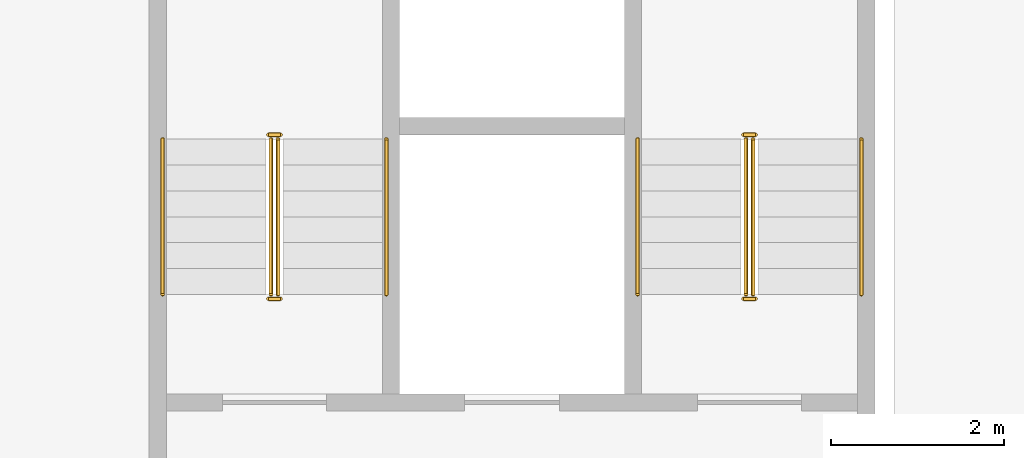
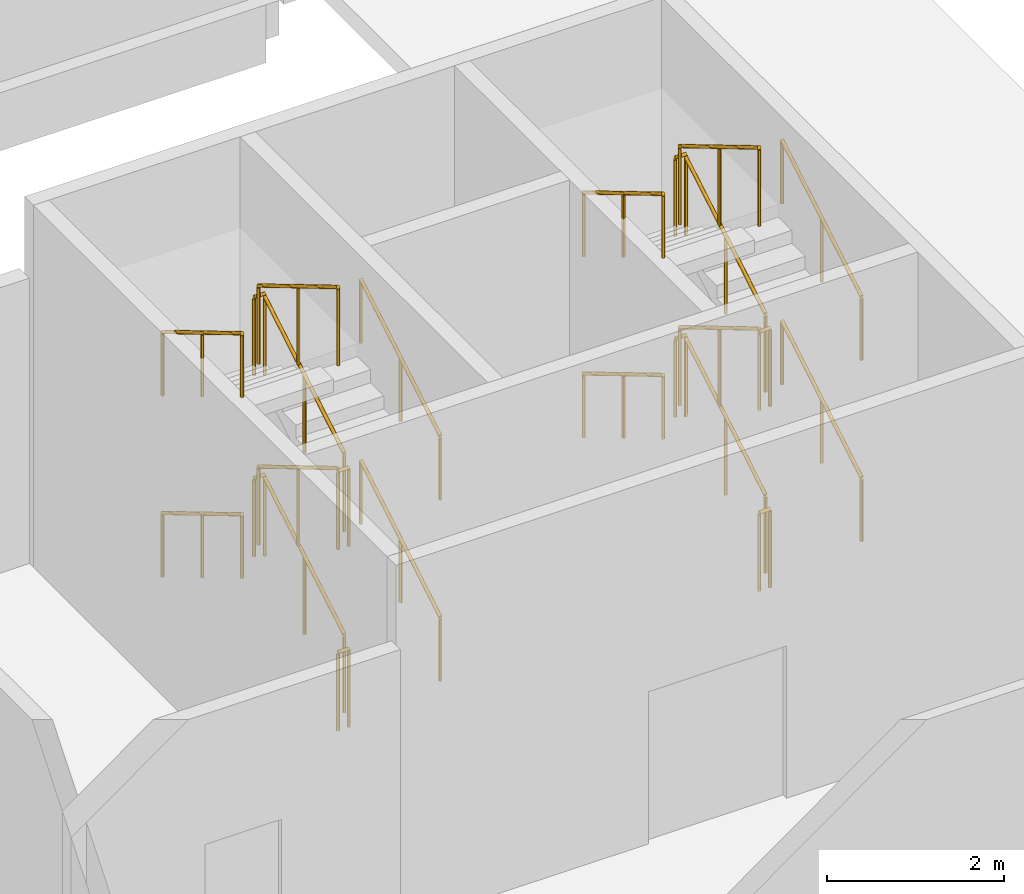
# One storey, part 95 of 101: 24 railings.
"""IFC4 building model written with IfcOpenShell, lengths in metres."""

from ifc_helpers import new_model, si_unit, direction, frame, origin, origin_2d, place, context, subcontext, project, spatial, circle, extrude, material, type_object, element, save


model = new_model("IFC4")

# Units and contexts
model_context = context("Model", 3, precision=1e-05, world=origin(), true_north=direction((0.0, 1.0)))
body_context = subcontext(model_context, "Body", "Model", "MODEL_VIEW")
ifc_project = project(units=[si_unit("LENGTHUNIT", "METRE"), si_unit("AREAUNIT", "SQUARE_METRE"), si_unit("VOLUMEUNIT", "CUBIC_METRE"), si_unit("PLANEANGLEUNIT", "RADIAN"), si_unit("MASSUNIT", "GRAM", prefix="KILO")], contexts=[model_context])

# Site, building, storey
site_placement = place(None, origin())
site = spatial("IfcSite", under=ifc_project, at=site_placement, CompositionType="ELEMENT")
building_placement = place(site_placement, origin())
building = spatial("IfcBuilding", under=site, at=building_placement, Name="Almond Square Museum", CompositionType="ELEMENT")
storey_placement = place(building_placement, frame((0.0, 0.0, 5.5)))
storey = spatial("IfcBuildingStorey", under=building, at=storey_placement, Name="L01", CompositionType="ELEMENT", Elevation=5.5)

# Railings
ifc_material_1 = material(Name="Stainless steel and laminated glass", Category="steel")
railing_type_1 = type_object("IfcRailingType", Name="Stair guard 1100 steel and glass", PredefinedType="GUARDRAIL", material=ifc_material_1)
railing_1_placement = place(storey_placement, frame((150.2900390625, 37.35009765625, 0.178466796875)))
element("IfcRailing", 1, at=railing_1_placement, inside=storey, type_object=railing_type_1, Name="L01 ST-33 stair guard 1", PredefinedType="GUARDRAIL", context=body_context, shape_type="SweptSolid", body=[
    extrude(circle(Radius=0.02392578125, at=origin_2d()), frame((0.0, 0.0, 1.076171875), z_axis=(0.0, 0.85924653193, 0.511561723907), x_axis=(-1.0, 0.0, 0.0)), (0.0, 0.0, 1.0), 2.0947265625),
    extrude(circle(Radius=0.02099609375, at=origin_2d()), origin(), (0.0, 0.0, 1.0), 1.052001953125),
    extrude(circle(Radius=0.02099609375, at=origin_2d()), frame((0.0, 0.89990234375, 0.53564453125)), (0.0, 0.0, 1.0), 1.052001953125),
    extrude(circle(Radius=0.02099609375, at=origin_2d()), frame((0.0, 1.7998046875, 1.071533203125)), (0.0, 0.0, 1.0), 1.052001953125),
])
railing_2_placement = place(storey_placement, frame((150.320068359375, 39.199951171875, 1.25)))
element("IfcRailing", 2, at=railing_2_placement, inside=storey, type_object=railing_type_1, Name="L01 ST-33 stair guard 2", PredefinedType="GUARDRAIL", context=body_context, shape_type="SweptSolid", body=[
    extrude(circle(Radius=0.02392578125, at=origin_2d()), frame((0.0, 0.0, 1.076171875), z_axis=(-1.0, 0.0, 0.0), x_axis=(0.0, -1.0, 0.0)), (0.0, 0.0, 1.0), 0.14013671875),
    extrude(circle(Radius=0.02099609375, at=origin_2d()), origin(), (0.0, 0.0, 1.0), 1.052001953125),
    extrude(circle(Radius=0.02099609375, at=origin_2d()), frame((-0.14013671875, 0.0, 0.0)), (0.0, 0.0, 1.0), 1.052001953125),
])
railing_3_placement = place(storey_placement, frame((150.2099609375, 39.14990234375, 1.428466796875)))
element("IfcRailing", 3, at=railing_3_placement, inside=storey, type_object=railing_type_1, Name="L01 ST-33 stair guard 3", PredefinedType="GUARDRAIL", context=body_context, shape_type="SweptSolid", body=[
    extrude(circle(Radius=0.02392578125, at=origin_2d()), frame((0.0, 0.0, 1.076171875), z_axis=(0.0, -0.85924653193, 0.511561723907), x_axis=(1.0, 0.0, 0.0)), (0.0, 0.0, 1.0), 2.0947265625),
    extrude(circle(Radius=0.02099609375, at=origin_2d()), origin(), (0.0, 0.0, 1.0), 1.052001953125),
    extrude(circle(Radius=0.02099609375, at=origin_2d()), frame((0.0, -0.89990234375, 0.53564453125)), (0.0, 0.0, 1.0), 1.052001953125),
    extrude(circle(Radius=0.02099609375, at=origin_2d()), frame((0.0, -1.7998046875, 1.071533203125)), (0.0, 0.0, 1.0), 1.052001953125),
])
railing_4_placement = place(storey_placement, frame((150.320068359375, 37.300048828125, 2.5)))
element("IfcRailing", 4, at=railing_4_placement, inside=storey, type_object=railing_type_1, Name="L01 ST-33 stair guard 4", PredefinedType="GUARDRAIL", context=body_context, shape_type="SweptSolid", body=[
    extrude(circle(Radius=0.02392578125, at=origin_2d()), frame((0.0, 0.0, 1.076171875), z_axis=(-1.0, 0.0, 0.0), x_axis=(0.0, -1.0, 0.0)), (0.0, 0.0, 1.0), 0.14013671875),
    extrude(circle(Radius=0.02099609375, at=origin_2d()), origin(), (0.0, 0.0, 1.0), 1.052001953125),
    extrude(circle(Radius=0.02099609375, at=origin_2d()), frame((-0.14013671875, 0.0, 0.0)), (0.0, 0.0, 1.0), 1.052001953125),
])
railing_5_placement = place(storey_placement, frame((150.2900390625, 37.35009765625, 2.678466796875)))
element("IfcRailing", 5, at=railing_5_placement, inside=storey, type_object=railing_type_1, Name="L01 ST-33 stair guard 5", PredefinedType="GUARDRAIL", context=body_context, shape_type="SweptSolid", body=[
    extrude(circle(Radius=0.02392578125, at=origin_2d()), frame((0.0, 0.0, 1.076171875), z_axis=(0.0, 0.85924653193, 0.511561723907), x_axis=(-1.0, 0.0, 0.0)), (0.0, 0.0, 1.0), 2.0947265625),
    extrude(circle(Radius=0.02099609375, at=origin_2d()), origin(), (0.0, 0.0, 1.0), 1.052001953125),
    extrude(circle(Radius=0.02099609375, at=origin_2d()), frame((0.0, 0.89990234375, 0.53564453125)), (0.0, 0.0, 1.0), 1.052001953125),
    extrude(circle(Radius=0.02099609375, at=origin_2d()), frame((0.0, 1.7998046875, 1.071533203125)), (0.0, 0.0, 1.0), 1.052001953125),
])
railing_6_placement = place(storey_placement, frame((150.320068359375, 39.199951171875, 3.75)))
element("IfcRailing", 6, at=railing_6_placement, inside=storey, type_object=railing_type_1, Name="L01 ST-33 stair guard 6", PredefinedType="GUARDRAIL", context=body_context, shape_type="SweptSolid", body=[
    extrude(circle(Radius=0.02392578125, at=origin_2d()), frame((0.0, 0.0, 1.076171875), z_axis=(-1.0, 0.0, 0.0), x_axis=(0.0, -1.0, 0.0)), (0.0, 0.0, 1.0), 0.14013671875),
    extrude(circle(Radius=0.02099609375, at=origin_2d()), origin(), (0.0, 0.0, 1.0), 1.052001953125),
    extrude(circle(Radius=0.02099609375, at=origin_2d()), frame((-0.14013671875, 0.0, 0.0)), (0.0, 0.0, 1.0), 1.052001953125),
])
railing_7_placement = place(storey_placement, frame((150.2099609375, 39.14990234375, 3.928466796875)))
element("IfcRailing", 7, at=railing_7_placement, inside=storey, type_object=railing_type_1, Name="L01 ST-33 stair guard 7", PredefinedType="GUARDRAIL", context=body_context, shape_type="SweptSolid", body=[
    extrude(circle(Radius=0.02392578125, at=origin_2d()), frame((0.0, 0.0, 1.076171875), z_axis=(0.0, -0.85924653193, 0.511561723907), x_axis=(1.0, 0.0, 0.0)), (0.0, 0.0, 1.0), 2.0947265625),
    extrude(circle(Radius=0.02099609375, at=origin_2d()), origin(), (0.0, 0.0, 1.0), 1.052001953125),
    extrude(circle(Radius=0.02099609375, at=origin_2d()), frame((0.0, -0.89990234375, 0.53564453125)), (0.0, 0.0, 1.0), 1.052001953125),
    extrude(circle(Radius=0.02099609375, at=origin_2d()), frame((0.0, -1.7998046875, 1.071533203125)), (0.0, 0.0, 1.0), 1.052001953125),
])
railing_8_placement = place(storey_placement, frame((150.320068359375, 37.300048828125, 0.0)))
element("IfcRailing", 8, at=railing_8_placement, inside=storey, type_object=railing_type_1, Name="L01 ST-33 stair guard 8", PredefinedType="GUARDRAIL", context=body_context, shape_type="SweptSolid", body=[
    extrude(circle(Radius=0.02392578125, at=origin_2d()), frame((0.0, 0.0, 1.076171875), z_axis=(-1.0, 0.0, 0.0), x_axis=(0.0, -1.0, 0.0)), (0.0, 0.0, 1.0), 0.14013671875),
    extrude(circle(Radius=0.02099609375, at=origin_2d()), origin(), (0.0, 0.0, 1.0), 1.052001953125),
    extrude(circle(Radius=0.02099609375, at=origin_2d()), frame((-0.14013671875, 0.0, 0.0)), (0.0, 0.0, 1.0), 1.052001953125),
])
railing_9_placement = place(storey_placement, frame((155.7900390625, 37.35009765625, 0.178466796875)))
element("IfcRailing", 9, at=railing_9_placement, inside=storey, type_object=railing_type_1, Name="L01 ST-34 stair guard 1", PredefinedType="GUARDRAIL", context=body_context, shape_type="SweptSolid", body=[
    extrude(circle(Radius=0.02392578125, at=origin_2d()), frame((0.0, 0.0, 1.076171875), z_axis=(0.0, 0.85924653193, 0.511561723907), x_axis=(-1.0, 0.0, 0.0)), (0.0, 0.0, 1.0), 2.0947265625),
    extrude(circle(Radius=0.02099609375, at=origin_2d()), origin(), (0.0, 0.0, 1.0), 1.052001953125),
    extrude(circle(Radius=0.02099609375, at=origin_2d()), frame((0.0, 0.89990234375, 0.53564453125)), (0.0, 0.0, 1.0), 1.052001953125),
    extrude(circle(Radius=0.02099609375, at=origin_2d()), frame((0.0, 1.7998046875, 1.071533203125)), (0.0, 0.0, 1.0), 1.052001953125),
])
railing_10_placement = place(storey_placement, frame((155.820068359375, 39.199951171875, 1.25)))
element("IfcRailing", 10, at=railing_10_placement, inside=storey, type_object=railing_type_1, Name="L01 ST-34 stair guard 2", PredefinedType="GUARDRAIL", context=body_context, shape_type="SweptSolid", body=[
    extrude(circle(Radius=0.02392578125, at=origin_2d()), frame((0.0, 0.0, 1.076171875), z_axis=(-1.0, 0.0, 0.0), x_axis=(0.0, -1.0, 0.0)), (0.0, 0.0, 1.0), 0.14013671875),
    extrude(circle(Radius=0.02099609375, at=origin_2d()), origin(), (0.0, 0.0, 1.0), 1.052001953125),
    extrude(circle(Radius=0.02099609375, at=origin_2d()), frame((-0.14013671875, 0.0, 0.0)), (0.0, 0.0, 1.0), 1.052001953125),
])
railing_11_placement = place(storey_placement, frame((155.7099609375, 39.14990234375, 1.428466796875)))
element("IfcRailing", 11, at=railing_11_placement, inside=storey, type_object=railing_type_1, Name="L01 ST-34 stair guard 3", PredefinedType="GUARDRAIL", context=body_context, shape_type="SweptSolid", body=[
    extrude(circle(Radius=0.02392578125, at=origin_2d()), frame((0.0, 0.0, 1.076171875), z_axis=(0.0, -0.85924653193, 0.511561723907), x_axis=(1.0, 0.0, 0.0)), (0.0, 0.0, 1.0), 2.0947265625),
    extrude(circle(Radius=0.02099609375, at=origin_2d()), origin(), (0.0, 0.0, 1.0), 1.052001953125),
    extrude(circle(Radius=0.02099609375, at=origin_2d()), frame((0.0, -0.89990234375, 0.53564453125)), (0.0, 0.0, 1.0), 1.052001953125),
    extrude(circle(Radius=0.02099609375, at=origin_2d()), frame((0.0, -1.7998046875, 1.071533203125)), (0.0, 0.0, 1.0), 1.052001953125),
])
railing_12_placement = place(storey_placement, frame((155.820068359375, 37.300048828125, 2.5)))
element("IfcRailing", 12, at=railing_12_placement, inside=storey, type_object=railing_type_1, Name="L01 ST-34 stair guard 4", PredefinedType="GUARDRAIL", context=body_context, shape_type="SweptSolid", body=[
    extrude(circle(Radius=0.02392578125, at=origin_2d()), frame((0.0, 0.0, 1.076171875), z_axis=(-1.0, 0.0, 0.0), x_axis=(0.0, -1.0, 0.0)), (0.0, 0.0, 1.0), 0.14013671875),
    extrude(circle(Radius=0.02099609375, at=origin_2d()), origin(), (0.0, 0.0, 1.0), 1.052001953125),
    extrude(circle(Radius=0.02099609375, at=origin_2d()), frame((-0.14013671875, 0.0, 0.0)), (0.0, 0.0, 1.0), 1.052001953125),
])
railing_13_placement = place(storey_placement, frame((155.7900390625, 37.35009765625, 2.678466796875)))
element("IfcRailing", 13, at=railing_13_placement, inside=storey, type_object=railing_type_1, Name="L01 ST-34 stair guard 5", PredefinedType="GUARDRAIL", context=body_context, shape_type="SweptSolid", body=[
    extrude(circle(Radius=0.02392578125, at=origin_2d()), frame((0.0, 0.0, 1.076171875), z_axis=(0.0, 0.85924653193, 0.511561723907), x_axis=(-1.0, 0.0, 0.0)), (0.0, 0.0, 1.0), 2.0947265625),
    extrude(circle(Radius=0.02099609375, at=origin_2d()), origin(), (0.0, 0.0, 1.0), 1.052001953125),
    extrude(circle(Radius=0.02099609375, at=origin_2d()), frame((0.0, 0.89990234375, 0.53564453125)), (0.0, 0.0, 1.0), 1.052001953125),
    extrude(circle(Radius=0.02099609375, at=origin_2d()), frame((0.0, 1.7998046875, 1.071533203125)), (0.0, 0.0, 1.0), 1.052001953125),
])
railing_14_placement = place(storey_placement, frame((155.820068359375, 39.199951171875, 3.75)))
element("IfcRailing", 14, at=railing_14_placement, inside=storey, type_object=railing_type_1, Name="L01 ST-34 stair guard 6", PredefinedType="GUARDRAIL", context=body_context, shape_type="SweptSolid", body=[
    extrude(circle(Radius=0.02392578125, at=origin_2d()), frame((0.0, 0.0, 1.076171875), z_axis=(-1.0, 0.0, 0.0), x_axis=(0.0, -1.0, 0.0)), (0.0, 0.0, 1.0), 0.14013671875),
    extrude(circle(Radius=0.02099609375, at=origin_2d()), origin(), (0.0, 0.0, 1.0), 1.052001953125),
    extrude(circle(Radius=0.02099609375, at=origin_2d()), frame((-0.14013671875, 0.0, 0.0)), (0.0, 0.0, 1.0), 1.052001953125),
])
railing_15_placement = place(storey_placement, frame((155.7099609375, 39.14990234375, 3.928466796875)))
element("IfcRailing", 15, at=railing_15_placement, inside=storey, type_object=railing_type_1, Name="L01 ST-34 stair guard 7", PredefinedType="GUARDRAIL", context=body_context, shape_type="SweptSolid", body=[
    extrude(circle(Radius=0.02392578125, at=origin_2d()), frame((0.0, 0.0, 1.076171875), z_axis=(0.0, -0.85924653193, 0.511561723907), x_axis=(1.0, 0.0, 0.0)), (0.0, 0.0, 1.0), 2.0947265625),
    extrude(circle(Radius=0.02099609375, at=origin_2d()), origin(), (0.0, 0.0, 1.0), 1.052001953125),
    extrude(circle(Radius=0.02099609375, at=origin_2d()), frame((0.0, -0.89990234375, 0.53564453125)), (0.0, 0.0, 1.0), 1.052001953125),
    extrude(circle(Radius=0.02099609375, at=origin_2d()), frame((0.0, -1.7998046875, 1.071533203125)), (0.0, 0.0, 1.0), 1.052001953125),
])
railing_16_placement = place(storey_placement, frame((155.820068359375, 37.300048828125, 0.0)))
element("IfcRailing", 16, at=railing_16_placement, inside=storey, type_object=railing_type_1, Name="L01 ST-34 stair guard 8", PredefinedType="GUARDRAIL", context=body_context, shape_type="SweptSolid", body=[
    extrude(circle(Radius=0.02392578125, at=origin_2d()), frame((0.0, 0.0, 1.076171875), z_axis=(-1.0, 0.0, 0.0), x_axis=(0.0, -1.0, 0.0)), (0.0, 0.0, 1.0), 0.14013671875),
    extrude(circle(Radius=0.02099609375, at=origin_2d()), origin(), (0.0, 0.0, 1.0), 1.052001953125),
    extrude(circle(Radius=0.02099609375, at=origin_2d()), frame((-0.14013671875, 0.0, 0.0)), (0.0, 0.0, 1.0), 1.052001953125),
])
ifc_material_2 = material(Name="Stainless steel", Category="steel")
railing_type_2 = type_object("IfcRailingType", Name="Stair handrail 900 steel", PredefinedType="HANDRAIL", material=ifc_material_2)
railing_17_placement = place(storey_placement, frame((151.544921875, 37.35009765625, 0.178466796875)))
element("IfcRailing", 17, at=railing_17_placement, inside=storey, type_object=railing_type_2, Name="L01 ST-33 stair handrail 1", PredefinedType="HANDRAIL", context=body_context, shape_type="SweptSolid", body=[
    extrude(circle(Radius=0.02392578125, at=origin_2d()), frame((0.0, 0.0, 0.8759765625), z_axis=(0.0, 0.85924653193, 0.511561723907), x_axis=(-1.0, 0.0, 0.0)), (0.0, 0.0, 1.0), 2.0947265625),
    extrude(circle(Radius=0.02099609375, at=origin_2d()), origin(), (0.0, 0.0, 1.0), 0.851806640625),
    extrude(circle(Radius=0.02099609375, at=origin_2d()), frame((0.0, 0.89990234375, 0.53564453125)), (0.0, 0.0, 1.0), 0.851806640625),
    extrude(circle(Radius=0.02099609375, at=origin_2d()), frame((0.0, 1.7998046875, 1.071533203125)), (0.0, 0.0, 1.0), 0.851806640625),
])
railing_18_placement = place(storey_placement, frame((148.955078125, 39.14990234375, 1.428466796875)))
element("IfcRailing", 18, at=railing_18_placement, inside=storey, type_object=railing_type_2, Name="L01 ST-33 stair handrail 2", PredefinedType="HANDRAIL", context=body_context, shape_type="SweptSolid", body=[
    extrude(circle(Radius=0.02392578125, at=origin_2d()), frame((0.0, 0.0, 0.8759765625), z_axis=(0.0, -0.85924653193, 0.511561723907), x_axis=(1.0, 0.0, 0.0)), (0.0, 0.0, 1.0), 2.0947265625),
    extrude(circle(Radius=0.02099609375, at=origin_2d()), origin(), (0.0, 0.0, 1.0), 0.851806640625),
    extrude(circle(Radius=0.02099609375, at=origin_2d()), frame((0.0, -0.89990234375, 0.53564453125)), (0.0, 0.0, 1.0), 0.851806640625),
    extrude(circle(Radius=0.02099609375, at=origin_2d()), frame((0.0, -1.7998046875, 1.071533203125)), (0.0, 0.0, 1.0), 0.851806640625),
])
railing_19_placement = place(storey_placement, frame((151.544921875, 37.35009765625, 2.678466796875)))
element("IfcRailing", 19, at=railing_19_placement, inside=storey, type_object=railing_type_2, Name="L01 ST-33 stair handrail 3", PredefinedType="HANDRAIL", context=body_context, shape_type="SweptSolid", body=[
    extrude(circle(Radius=0.02392578125, at=origin_2d()), frame((0.0, 0.0, 0.8759765625), z_axis=(0.0, 0.85924653193, 0.511561723907), x_axis=(-1.0, 0.0, 0.0)), (0.0, 0.0, 1.0), 2.0947265625),
    extrude(circle(Radius=0.02099609375, at=origin_2d()), origin(), (0.0, 0.0, 1.0), 0.851806640625),
    extrude(circle(Radius=0.02099609375, at=origin_2d()), frame((0.0, 0.89990234375, 0.53564453125)), (0.0, 0.0, 1.0), 0.851806640625),
    extrude(circle(Radius=0.02099609375, at=origin_2d()), frame((0.0, 1.7998046875, 1.071533203125)), (0.0, 0.0, 1.0), 0.851806640625),
])
railing_20_placement = place(storey_placement, frame((148.955078125, 39.14990234375, 3.928466796875)))
element("IfcRailing", 20, at=railing_20_placement, inside=storey, type_object=railing_type_2, Name="L01 ST-33 stair handrail 4", PredefinedType="HANDRAIL", context=body_context, shape_type="SweptSolid", body=[
    extrude(circle(Radius=0.02392578125, at=origin_2d()), frame((0.0, 0.0, 0.8759765625), z_axis=(0.0, -0.85924653193, 0.511561723907), x_axis=(1.0, 0.0, 0.0)), (0.0, 0.0, 1.0), 2.0947265625),
    extrude(circle(Radius=0.02099609375, at=origin_2d()), origin(), (0.0, 0.0, 1.0), 0.851806640625),
    extrude(circle(Radius=0.02099609375, at=origin_2d()), frame((0.0, -0.89990234375, 0.53564453125)), (0.0, 0.0, 1.0), 0.851806640625),
    extrude(circle(Radius=0.02099609375, at=origin_2d()), frame((0.0, -1.7998046875, 1.071533203125)), (0.0, 0.0, 1.0), 0.851806640625),
])
railing_21_placement = place(storey_placement, frame((157.044921875, 37.35009765625, 0.178466796875)))
element("IfcRailing", 21, at=railing_21_placement, inside=storey, type_object=railing_type_2, Name="L01 ST-34 stair handrail 1", PredefinedType="HANDRAIL", context=body_context, shape_type="SweptSolid", body=[
    extrude(circle(Radius=0.02392578125, at=origin_2d()), frame((0.0, 0.0, 0.8759765625), z_axis=(0.0, 0.85924653193, 0.511561723907), x_axis=(-1.0, 0.0, 0.0)), (0.0, 0.0, 1.0), 2.0947265625),
    extrude(circle(Radius=0.02099609375, at=origin_2d()), origin(), (0.0, 0.0, 1.0), 0.851806640625),
    extrude(circle(Radius=0.02099609375, at=origin_2d()), frame((0.0, 0.89990234375, 0.53564453125)), (0.0, 0.0, 1.0), 0.851806640625),
    extrude(circle(Radius=0.02099609375, at=origin_2d()), frame((0.0, 1.7998046875, 1.071533203125)), (0.0, 0.0, 1.0), 0.851806640625),
])
railing_22_placement = place(storey_placement, frame((154.455078125, 39.14990234375, 1.428466796875)))
element("IfcRailing", 22, at=railing_22_placement, inside=storey, type_object=railing_type_2, Name="L01 ST-34 stair handrail 2", PredefinedType="HANDRAIL", context=body_context, shape_type="SweptSolid", body=[
    extrude(circle(Radius=0.02392578125, at=origin_2d()), frame((0.0, 0.0, 0.8759765625), z_axis=(0.0, -0.85924653193, 0.511561723907), x_axis=(1.0, 0.0, 0.0)), (0.0, 0.0, 1.0), 2.0947265625),
    extrude(circle(Radius=0.02099609375, at=origin_2d()), origin(), (0.0, 0.0, 1.0), 0.851806640625),
    extrude(circle(Radius=0.02099609375, at=origin_2d()), frame((0.0, -0.89990234375, 0.53564453125)), (0.0, 0.0, 1.0), 0.851806640625),
    extrude(circle(Radius=0.02099609375, at=origin_2d()), frame((0.0, -1.7998046875, 1.071533203125)), (0.0, 0.0, 1.0), 0.851806640625),
])
railing_23_placement = place(storey_placement, frame((157.044921875, 37.35009765625, 2.678466796875)))
element("IfcRailing", 23, at=railing_23_placement, inside=storey, type_object=railing_type_2, Name="L01 ST-34 stair handrail 3", PredefinedType="HANDRAIL", context=body_context, shape_type="SweptSolid", body=[
    extrude(circle(Radius=0.02392578125, at=origin_2d()), frame((0.0, 0.0, 0.8759765625), z_axis=(0.0, 0.85924653193, 0.511561723907), x_axis=(-1.0, 0.0, 0.0)), (0.0, 0.0, 1.0), 2.0947265625),
    extrude(circle(Radius=0.02099609375, at=origin_2d()), origin(), (0.0, 0.0, 1.0), 0.851806640625),
    extrude(circle(Radius=0.02099609375, at=origin_2d()), frame((0.0, 0.89990234375, 0.53564453125)), (0.0, 0.0, 1.0), 0.851806640625),
    extrude(circle(Radius=0.02099609375, at=origin_2d()), frame((0.0, 1.7998046875, 1.071533203125)), (0.0, 0.0, 1.0), 0.851806640625),
])
railing_24_placement = place(storey_placement, frame((154.455078125, 39.14990234375, 3.928466796875)))
element("IfcRailing", 24, at=railing_24_placement, inside=storey, type_object=railing_type_2, Name="L01 ST-34 stair handrail 4", PredefinedType="HANDRAIL", context=body_context, shape_type="SweptSolid", body=[
    extrude(circle(Radius=0.02392578125, at=origin_2d()), frame((0.0, 0.0, 0.8759765625), z_axis=(0.0, -0.85924653193, 0.511561723907), x_axis=(1.0, 0.0, 0.0)), (0.0, 0.0, 1.0), 2.0947265625),
    extrude(circle(Radius=0.02099609375, at=origin_2d()), origin(), (0.0, 0.0, 1.0), 0.851806640625),
    extrude(circle(Radius=0.02099609375, at=origin_2d()), frame((0.0, -0.89990234375, 0.53564453125)), (0.0, 0.0, 1.0), 0.851806640625),
    extrude(circle(Radius=0.02099609375, at=origin_2d()), frame((0.0, -1.7998046875, 1.071533203125)), (0.0, 0.0, 1.0), 0.851806640625),
])

save(model, "model.ifc")
